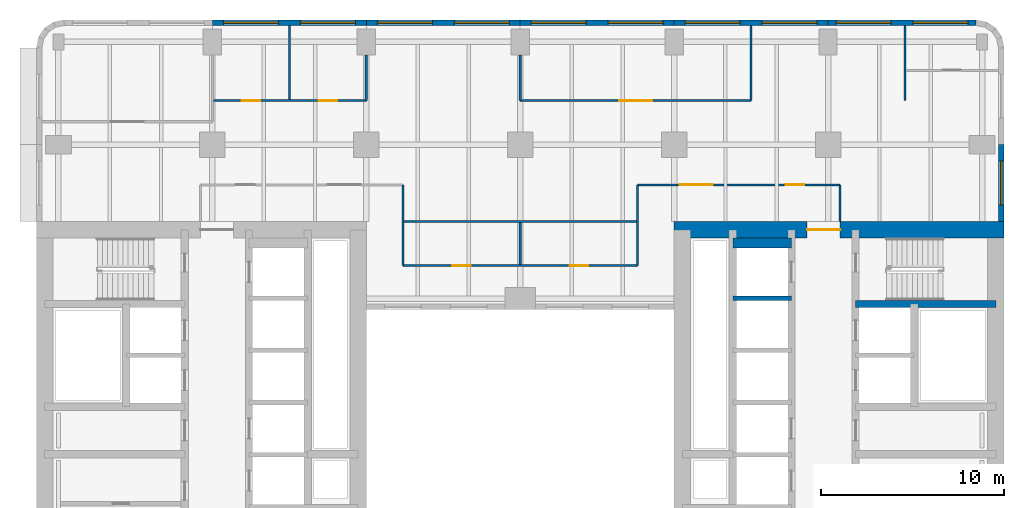
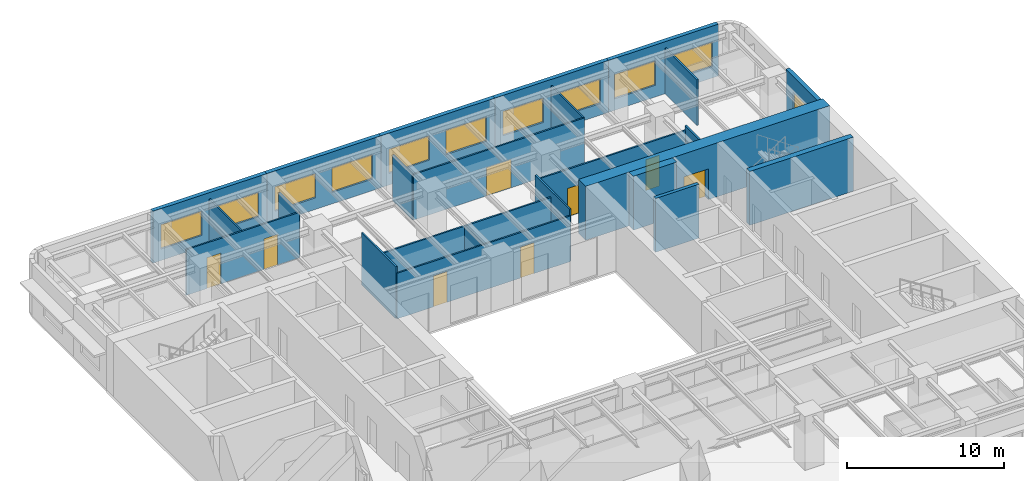
# One storey, part 7 of 11: 24 walls, 11 windows, 8 doors, 19 openings.
"""IFC4 building model written with IfcOpenShell, lengths in metres."""

from ifc_helpers import new_model, si_unit, direction, frame, frame_2d, origin, place, context, subcontext, project, spatial, rectangle, extrude, material, layer, layer_set, type_object, element, fill, save


model = new_model("IFC4")

# Units and contexts
model_context = context("Model", 3, precision=1e-05, world=origin(), true_north=direction((0.0, 1.0)))
body_context = subcontext(model_context, "Body", "Model", "MODEL_VIEW")
ifc_project = project(units=[si_unit("LENGTHUNIT", "METRE"), si_unit("AREAUNIT", "SQUARE_METRE"), si_unit("VOLUMEUNIT", "CUBIC_METRE"), si_unit("PLANEANGLEUNIT", "RADIAN"), si_unit("MASSUNIT", "GRAM", prefix="KILO")], contexts=[model_context])

# Site, building, storey
site_placement = place(None, origin())
site = spatial("IfcSite", under=ifc_project, at=site_placement, CompositionType="ELEMENT")
building_placement = place(site_placement, origin())
building = spatial("IfcBuilding", under=site, at=building_placement, Name="Claustro Exchange Tower", CompositionType="ELEMENT")
storey_placement = place(building_placement, frame((0.0, 0.0, 121.800048828125)))
storey = spatial("IfcBuildingStorey", under=building, at=storey_placement, Name="L27", CompositionType="ELEMENT", Elevation=121.800048828125)

# Wall, openings, doors
ifc_material_1 = material(Name="Laminated glass in aluminium frame", Category="aluminium")
ifc_layer_1 = layer(ifc_material_1, 0.1201171875)
ifc_layer_set_1 = layer_set([ifc_layer_1], Name="Laminated glass in aluminium frame")
wall_type_1 = type_object("IfcWallType", Name="P2 120 glazed partition", PredefinedType="PARTITIONING", material=ifc_layer_set_1)
wall_1_placement = place(storey_placement, frame((8.4580078125, 44.39990234375, 0.0), z_axis=(0.0, 0.0, 1.0), x_axis=(1.0, 0.0, 0.0)))
wall_1 = element("IfcWall", 1, at=wall_1_placement, inside=storey, type_object=wall_type_1, Name="Partition P2 L27", PredefinedType="PARTITIONING", context=body_context, shape_type="SweptSolid", body=[
    extrude(rectangle(XDim=8.342041015625, YDim=0.1201171875, at=frame_2d((4.1708984375, 0.0))), origin(), (0.0, 0.0, 1.0), 3.550048828125),
])
opening_1_placement = place(wall_1_placement, frame((1.5419921875, 0.0, 0.0)))
opening_1 = element("IfcOpeningElement", 2, at=opening_1_placement, cuts=wall_1, Name="Opening D7", PredefinedType="OPENING", context=body_context, shape_type="SweptSolid", body=[
    extrude(rectangle(XDim=1.0, YDim=2.39990234375, at=frame_2d((0.5, 1.199951171875))), frame((0.0, 0.070068359375, 0.0), z_axis=(0.0, -1.0, 0.0), x_axis=(1.0, 0.0, 0.0)), (0.0, 0.0, 1.0), 0.14013671875),
])
opening_2_placement = place(wall_1_placement, frame((5.741943359375, 0.0, 0.0)))
opening_2 = element("IfcOpeningElement", 3, at=opening_2_placement, cuts=wall_1, Name="Opening D7", PredefinedType="OPENING", context=body_context, shape_type="SweptSolid", body=[
    extrude(rectangle(XDim=1.0, YDim=2.39990234375, at=frame_2d((0.5, 1.199951171875))), frame((0.0, 0.070068359375, 0.0), z_axis=(0.0, -1.0, 0.0), x_axis=(1.0, 0.0, 0.0)), (0.0, 0.0, 1.0), 0.14013671875),
])
ifc_material_2 = material(Name="Glass door in aluminium frame", Category="aluminium")
door_type_1 = type_object("IfcDoorType", Name="D7 1000 x 2400 glazed door", OperationType="SINGLE_SWING_LEFT", PredefinedType="DOOR", material=ifc_material_2)
door_1_placement = place(opening_1_placement, origin())
door_1 = element("IfcDoor", 4, at=door_1_placement, inside=storey, type_object=door_type_1, Name="Door D7 L27", OperationType="SINGLE_SWING_RIGHT", OverallHeight=2.39990234375, OverallWidth=1.0, PredefinedType="DOOR", context=body_context, shape_type="SweptSolid", body=[
    extrude(rectangle(XDim=1.0, YDim=2.39990234375, at=frame_2d((0.5, 1.199951171875))), frame((0.0, 0.02490234375, 0.0), z_axis=(0.0, -1.0, 0.0), x_axis=(1.0, 0.0, 0.0)), (0.0, 0.0, 1.0), 0.050048828125),
])
fill(opening_1, door_1)
door_2_placement = place(opening_2_placement, origin())
door_2 = element("IfcDoor", 5, at=door_2_placement, inside=storey, type_object=door_type_1, Name="Door D7 L27", OperationType="SINGLE_SWING_LEFT", OverallHeight=2.39990234375, OverallWidth=1.0, PredefinedType="DOOR", context=body_context, shape_type="SweptSolid", body=[
    extrude(rectangle(XDim=1.0, YDim=2.39990234375, at=frame_2d((0.5, 1.199951171875))), frame((0.0, 0.02490234375, 0.0), z_axis=(0.0, -1.0, 0.0), x_axis=(1.0, 0.0, 0.0)), (0.0, 0.0, 1.0), 0.050048828125),
])
fill(opening_2, door_2)

# Walls
wall_2_placement = place(storey_placement, frame((12.60009765625, 44.4580078125, 0.0), z_axis=(0.0, 0.0, 1.0), x_axis=(0.0, 1.0, 0.0)))
element("IfcWall", 6, at=wall_2_placement, inside=storey, type_object=wall_type_1, Name="Partition P2 L27", PredefinedType="PARTITIONING", context=body_context, shape_type="SweptSolid", body=[
    extrude(rectangle(XDim=4.0439453125, YDim=0.1201171875, at=frame_2d((2.02197265625, 0.0))), origin(), (0.0, 0.0, 1.0), 3.56005859375),
])
wall_3_placement = place(storey_placement, frame((16.800048828125, 44.39990234375, 0.0), z_axis=(0.0, 0.0, 1.0), x_axis=(0.0, 1.0, 0.0)))
element("IfcWall", 7, at=wall_3_placement, inside=storey, type_object=wall_type_1, Name="Partition P2 L27", PredefinedType="PARTITIONING", context=body_context, shape_type="SweptSolid", body=[
    extrude(rectangle(XDim=2.5009765625, YDim=0.1201171875, at=frame_2d((1.25048828125, 0.0))), origin(), (0.0, 0.0, 1.0), 3.550048828125),
])

# Wall, opening, door
wall_4_placement = place(storey_placement, frame((25.199951171875, 44.39990234375, 0.0), z_axis=(0.0, 0.0, 1.0), x_axis=(1.0, 0.0, 0.0)))
wall_4 = element("IfcWall", 8, at=wall_4_placement, inside=storey, type_object=wall_type_1, Name="Partition P2 L27", PredefinedType="PARTITIONING", context=body_context, shape_type="SweptSolid", body=[
    extrude(rectangle(XDim=12.60009765625, YDim=0.1201171875, at=frame_2d((6.300048828125, 0.0))), origin(), (0.0, 0.0, 1.0), 3.550048828125),
])
opening_3_placement = place(wall_4_placement, frame((5.39990234375, 0.0, 0.0)))
opening_3 = element("IfcOpeningElement", 9, at=opening_3_placement, cuts=wall_4, Name="Opening D2", PredefinedType="OPENING", context=body_context, shape_type="SweptSolid", body=[
    extrude(rectangle(XDim=1.800048828125, YDim=2.199951171875, at=frame_2d((0.89990234375, 1.10009765625))), frame((0.0, 0.070068359375, 0.0), z_axis=(0.0, -1.0, 0.0), x_axis=(1.0, 0.0, 0.0)), (0.0, 0.0, 1.0), 0.14013671875),
])
ifc_material_3 = material(Name="Timber door, oak veneer", Category="wood")
door_type_2 = type_object("IfcDoorType", Name="D2 1800 x 2200 double door", OperationType="DOUBLE_DOOR_SINGLE_SWING", PredefinedType="DOOR", material=ifc_material_3)
door_3_placement = place(opening_3_placement, origin())
door_3 = element("IfcDoor", 10, at=door_3_placement, inside=storey, type_object=door_type_2, Name="Double door D2 L27", OperationType="DOUBLE_DOOR_SINGLE_SWING", OverallHeight=2.199951171875, OverallWidth=1.800048828125, PredefinedType="DOOR", context=body_context, shape_type="SweptSolid", body=[
    extrude(rectangle(XDim=1.800048828125, YDim=2.199951171875, at=frame_2d((0.89990234375, 1.10009765625))), frame((0.0, 0.02490234375, 0.0), z_axis=(0.0, -1.0, 0.0), x_axis=(1.0, 0.0, 0.0)), (0.0, 0.0, 1.0), 0.050048828125),
])
fill(opening_3, door_3)

# Walls
wall_5_placement = place(storey_placement, frame((25.199951171875, 44.39990234375, 0.0), z_axis=(0.0, 0.0, 1.0), x_axis=(0.0, 1.0, 0.0)))
element("IfcWall", 11, at=wall_5_placement, inside=storey, type_object=wall_type_1, Name="Partition P2 L27", PredefinedType="PARTITIONING", context=body_context, shape_type="SweptSolid", body=[
    extrude(rectangle(XDim=2.5009765625, YDim=0.1201171875, at=frame_2d((1.25048828125, 0.0))), origin(), (0.0, 0.0, 1.0), 3.550048828125),
])
for number, where, z_axis, x_axis, name in (
    (12, (37.800048828125, 44.39990234375, 0.0), (0.0, 0.0, 1.0), (0.0, 1.0, 0.0), "Partition P2 L27"),
    (13, (46.199951171875, 44.39990234375, 0.0), (0.0, 0.0, 1.0), (0.0, 1.0, 0.0), "Partition P2 L27"),
):
    element("IfcWall", number, at=place(storey_placement, frame(where, z_axis=z_axis, x_axis=x_axis)), inside=storey, type_object=wall_type_1, Name=name, PredefinedType="PARTITIONING", context=body_context, shape_type="SweptSolid", body=[
        extrude(rectangle(XDim=4.10205078125, YDim=0.1201171875, at=frame_2d((2.051025390625, 0.0))), origin(), (0.0, 0.0, 1.0), 3.56005859375),
    ])

# Wall, openings, doors
wall_6_placement = place(storey_placement, frame((31.60009765625, 39.800048828125, 0.0), z_axis=(0.0, 0.0, 1.0), x_axis=(1.0, 0.0, 0.0)))
wall_6 = element("IfcWall", 14, at=wall_6_placement, inside=storey, type_object=wall_type_1, Name="Partition P2 L27", PredefinedType="PARTITIONING", context=body_context, shape_type="SweptSolid", body=[
    extrude(rectangle(XDim=11.0498046875, YDim=0.1201171875, at=frame_2d((5.52490234375, 0.0))), origin(), (0.0, 0.0, 1.0), 3.68994140625),
])
opening_4_placement = place(wall_6_placement, frame((2.300048828125, 0.0, 0.0)))
opening_4 = element("IfcOpeningElement", 15, at=opening_4_placement, cuts=wall_6, Name="Opening D2", PredefinedType="OPENING", context=body_context, shape_type="SweptSolid", body=[
    extrude(rectangle(XDim=1.800048828125, YDim=2.199951171875, at=frame_2d((0.89990234375, 1.10009765625))), frame((0.0, 0.070068359375, 0.0), z_axis=(0.0, -1.0, 0.0), x_axis=(1.0, 0.0, 0.0)), (0.0, 0.0, 1.0), 0.14013671875),
])
opening_5_placement = place(wall_6_placement, frame((8.10009765625, 0.0, 0.0)))
opening_5 = element("IfcOpeningElement", 16, at=opening_5_placement, cuts=wall_6, Name="Opening D7", PredefinedType="OPENING", context=body_context, shape_type="SweptSolid", body=[
    extrude(rectangle(XDim=1.0, YDim=2.39990234375, at=frame_2d((0.5, 1.199951171875))), frame((0.0, 0.070068359375, 0.0), z_axis=(0.0, -1.0, 0.0), x_axis=(1.0, 0.0, 0.0)), (0.0, 0.0, 1.0), 0.14013671875),
])
door_4_placement = place(opening_4_placement, origin())
door_4 = element("IfcDoor", 17, at=door_4_placement, inside=storey, type_object=door_type_2, Name="Double door D2 L27", OperationType="DOUBLE_DOOR_SINGLE_SWING", OverallHeight=2.199951171875, OverallWidth=1.800048828125, PredefinedType="DOOR", context=body_context, shape_type="SweptSolid", body=[
    extrude(rectangle(XDim=1.800048828125, YDim=2.199951171875, at=frame_2d((0.89990234375, 1.10009765625))), frame((0.0, 0.02490234375, 0.0), z_axis=(0.0, -1.0, 0.0), x_axis=(1.0, 0.0, 0.0)), (0.0, 0.0, 1.0), 0.050048828125),
])
fill(opening_4, door_4)
door_5_placement = place(opening_5_placement, origin())
door_5 = element("IfcDoor", 18, at=door_5_placement, inside=storey, type_object=door_type_1, Name="Door D7 L27", OperationType="SINGLE_SWING_RIGHT", OverallHeight=2.39990234375, OverallWidth=1.0, PredefinedType="DOOR", context=body_context, shape_type="SweptSolid", body=[
    extrude(rectangle(XDim=1.0, YDim=2.39990234375, at=frame_2d((0.5, 1.199951171875))), frame((0.0, 0.02490234375, 0.0), z_axis=(0.0, -1.0, 0.0), x_axis=(1.0, 0.0, 0.0)), (0.0, 0.0, 1.0), 0.050048828125),
])
fill(opening_5, door_5)

# Walls
wall_7_placement = place(storey_placement, frame((42.64990234375, 37.800048828125, 0.0), z_axis=(0.0, 0.0, 1.0), x_axis=(0.0, 1.0, 0.0)))
element("IfcWall", 19, at=wall_7_placement, inside=storey, type_object=wall_type_1, Name="Partition P2 L27", PredefinedType="PARTITIONING", context=body_context, shape_type="SweptSolid", body=[
    extrude(rectangle(XDim=2.0, YDim=0.1201171875, at=frame_2d((1.0, 0.0))), origin(), (0.0, 0.0, 1.0), 4.050048828125),
])
for number, where, z_axis, x_axis, name in (
    (20, (18.800048828125, 35.39990234375, 0.0), (0.0, 0.0, 1.0), (0.0, 1.0, 0.0), "Partition P2 L27"),
    (21, (31.60009765625, 35.39990234375, 0.0), (0.0, 0.0, 1.0), (0.0, 1.0, 0.0), "Partition P2 L27"),
):
    element("IfcWall", number, at=place(storey_placement, frame(where, z_axis=z_axis, x_axis=x_axis)), inside=storey, type_object=wall_type_1, Name=name, PredefinedType="PARTITIONING", context=body_context, shape_type="SweptSolid", body=[
        extrude(rectangle(XDim=4.400146484375, YDim=0.1201171875, at=frame_2d((2.2001953125, 0.0))), origin(), (0.0, 0.0, 1.0), 4.050048828125),
    ])
wall_8_placement = place(storey_placement, frame((25.199951171875, 35.4580078125, 0.0), z_axis=(0.0, 0.0, 1.0), x_axis=(0.0, 1.0, 0.0)))
element("IfcWall", 22, at=wall_8_placement, inside=storey, type_object=wall_type_1, Name="Partition P2 L27", PredefinedType="PARTITIONING", context=body_context, shape_type="SweptSolid", body=[
    extrude(rectangle(XDim=2.283935546875, YDim=0.1201171875, at=frame_2d((1.14208984375, 0.0))), origin(), (0.0, 0.0, 1.0), 3.550048828125),
])

# Wall, openings, doors
wall_9_placement = place(storey_placement, frame((18.800048828125, 35.39990234375, 0.0), z_axis=(0.0, 0.0, 1.0), x_axis=(1.0, 0.0, 0.0)))
wall_9 = element("IfcWall", 23, at=wall_9_placement, inside=storey, type_object=wall_type_1, Name="Partition P2 L27", PredefinedType="PARTITIONING", context=body_context, shape_type="SweptSolid", body=[
    extrude(rectangle(XDim=12.800048828125, YDim=0.1201171875, at=frame_2d((6.39990234375, 0.0))), origin(), (0.0, 0.0, 1.0), 3.550048828125),
])
opening_6_placement = place(wall_9_placement, frame((2.699951171875, 0.0, 0.0)))
opening_6 = element("IfcOpeningElement", 24, at=opening_6_placement, cuts=wall_9, Name="Opening D7", PredefinedType="OPENING", context=body_context, shape_type="SweptSolid", body=[
    extrude(rectangle(XDim=1.0, YDim=2.39990234375, at=frame_2d((0.5, 1.199951171875))), frame((0.0, 0.070068359375, 0.0), z_axis=(0.0, -1.0, 0.0), x_axis=(1.0, 0.0, 0.0)), (0.0, 0.0, 1.0), 0.14013671875),
])
opening_7_placement = place(wall_9_placement, frame((9.10009765625, 0.0, 0.0)))
opening_7 = element("IfcOpeningElement", 25, at=opening_7_placement, cuts=wall_9, Name="Opening D7", PredefinedType="OPENING", context=body_context, shape_type="SweptSolid", body=[
    extrude(rectangle(XDim=1.0, YDim=2.39990234375, at=frame_2d((0.5, 1.199951171875))), frame((0.0, 0.070068359375, 0.0), z_axis=(0.0, -1.0, 0.0), x_axis=(1.0, 0.0, 0.0)), (0.0, 0.0, 1.0), 0.14013671875),
])
door_6_placement = place(opening_6_placement, origin())
door_6 = element("IfcDoor", 26, at=door_6_placement, inside=storey, type_object=door_type_1, Name="Door D7 L27", OperationType="SINGLE_SWING_RIGHT", OverallHeight=2.39990234375, OverallWidth=1.0, PredefinedType="DOOR", context=body_context, shape_type="SweptSolid", body=[
    extrude(rectangle(XDim=1.0, YDim=2.39990234375, at=frame_2d((0.5, 1.199951171875))), frame((0.0, 0.02490234375, 0.0), z_axis=(0.0, -1.0, 0.0), x_axis=(1.0, 0.0, 0.0)), (0.0, 0.0, 1.0), 0.050048828125),
])
fill(opening_6, door_6)
door_7_placement = place(opening_7_placement, origin())
door_7 = element("IfcDoor", 27, at=door_7_placement, inside=storey, type_object=door_type_1, Name="Door D7 L27", OperationType="SINGLE_SWING_LEFT", OverallHeight=2.39990234375, OverallWidth=1.0, PredefinedType="DOOR", context=body_context, shape_type="SweptSolid", body=[
    extrude(rectangle(XDim=1.0, YDim=2.39990234375, at=frame_2d((0.5, 1.199951171875))), frame((0.0, 0.02490234375, 0.0), z_axis=(0.0, -1.0, 0.0), x_axis=(1.0, 0.0, 0.0)), (0.0, 0.0, 1.0), 0.050048828125),
])
fill(opening_7, door_7)

# Wall
wall_10_placement = place(storey_placement, frame((18.85791015625, 37.800048828125, 0.0), z_axis=(0.0, 0.0, 1.0), x_axis=(1.0, 0.0, 0.0)))
element("IfcWall", 28, at=wall_10_placement, inside=storey, type_object=wall_type_1, Name="Partition P2 L27", PredefinedType="PARTITIONING", context=body_context, shape_type="SweptSolid", body=[
    extrude(rectangle(XDim=12.68408203125, YDim=0.1201171875, at=frame_2d((6.342041015625, 0.0))), origin(), (0.0, 0.0, 1.0), 3.550048828125),
])

# Wall, openings, windows
ifc_material_4 = material(Name="Concrete HA-40 (C40/50), precast, white cement, acid-etched", Category="concrete")
ifc_layer_2 = layer(ifc_material_4, 0.300048828125)
ifc_layer_set_2 = layer_set([ifc_layer_2], Name="Concrete HA-40 (C40/50), precast, white cement, acid-etched")
wall_type_2 = type_object("IfcWallType", Name="PC1 300 precast concrete pier panel", PredefinedType="SOLIDWALL", material=ifc_layer_set_2)
wall_11_placement = place(storey_placement, frame((8.39990234375, 48.64990234375, 0.0), z_axis=(0.0, 0.0, 1.0), x_axis=(1.0, 0.0, 0.0)))
wall_11 = element("IfcWall", 29, at=wall_11_placement, inside=storey, type_object=wall_type_2, Name="Precast pier panel PC1 L27", PredefinedType="SOLIDWALL", context=body_context, shape_type="SweptSolid", body=[
    extrude(rectangle(XDim=8.400146484375, YDim=0.300048828125, at=frame_2d((4.2001953125, 0.0))), origin(), (0.0, 0.0, 1.0), 4.050048828125),
])
opening_8_placement = place(wall_11_placement, frame((0.60009765625, 0.0, 0.89990234375)))
opening_8 = element("IfcOpeningElement", 30, at=opening_8_placement, cuts=wall_11, Name="Opening W1", PredefinedType="OPENING", context=body_context, shape_type="SweptSolid", body=[
    extrude(rectangle(XDim=3.0, YDim=1.89990234375, at=frame_2d((1.5, 0.949951171875))), frame((0.0, 0.159912109375, 0.0), z_axis=(0.0, -1.0, 0.0), x_axis=(1.0, 0.0, 0.0)), (0.0, 0.0, 1.0), 0.320068359375),
])
opening_9_placement = place(wall_11_placement, frame((4.800048828125, 0.0, 0.89990234375)))
opening_9 = element("IfcOpeningElement", 31, at=opening_9_placement, cuts=wall_11, Name="Opening W1", PredefinedType="OPENING", context=body_context, shape_type="SweptSolid", body=[
    extrude(rectangle(XDim=3.0, YDim=1.89990234375, at=frame_2d((1.5, 0.949951171875))), frame((0.0, 0.159912109375, 0.0), z_axis=(0.0, -1.0, 0.0), x_axis=(1.0, 0.0, 0.0)), (0.0, 0.0, 1.0), 0.320068359375),
])
ifc_material_5 = material(Name="Aluminium frame, clear double glazing", Category="aluminium")
window_type_1 = type_object("IfcWindowType", Name="W1 3000 x 1900 window", PartitioningType="SINGLE_PANEL", PredefinedType="WINDOW", material=ifc_material_5)
window_1_placement = place(opening_8_placement, origin())
window_1 = element("IfcWindow", 32, at=window_1_placement, inside=storey, type_object=window_type_1, Name="Window W1 L27", OverallHeight=1.89990234375, OverallWidth=3.0, PartitioningType="SINGLE_PANEL", PredefinedType="WINDOW", context=body_context, shape_type="SweptSolid", body=[
    extrude(rectangle(XDim=3.0, YDim=1.89990234375, at=frame_2d((1.5, 0.949951171875))), frame((0.0, 0.030029296875, 0.0), z_axis=(0.0, -1.0, 0.0), x_axis=(1.0, 0.0, 0.0)), (0.0, 0.0, 1.0), 0.06005859375),
])
fill(opening_8, window_1)
window_2_placement = place(opening_9_placement, origin())
window_2 = element("IfcWindow", 33, at=window_2_placement, inside=storey, type_object=window_type_1, Name="Window W1 L27", OverallHeight=1.89990234375, OverallWidth=3.0, PartitioningType="SINGLE_PANEL", PredefinedType="WINDOW", context=body_context, shape_type="SweptSolid", body=[
    extrude(rectangle(XDim=3.0, YDim=1.89990234375, at=frame_2d((1.5, 0.949951171875))), frame((0.0, 0.030029296875, 0.0), z_axis=(0.0, -1.0, 0.0), x_axis=(1.0, 0.0, 0.0)), (0.0, 0.0, 1.0), 0.06005859375),
])
fill(opening_9, window_2)

wall_12_placement = place(storey_placement, frame((16.800048828125, 48.64990234375, 0.0), z_axis=(0.0, 0.0, 1.0), x_axis=(1.0, 0.0, 0.0)))
wall_12 = element("IfcWall", 34, at=wall_12_placement, inside=storey, type_object=wall_type_2, Name="Precast pier panel PC1 L27", PredefinedType="SOLIDWALL", context=body_context, shape_type="SweptSolid", body=[
    extrude(rectangle(XDim=8.39990234375, YDim=0.300048828125, at=frame_2d((4.199951171875, 0.0))), origin(), (0.0, 0.0, 1.0), 4.050048828125),
])
opening_10_placement = place(wall_12_placement, frame((0.60009765625, 0.0, 0.89990234375)))
opening_10 = element("IfcOpeningElement", 35, at=opening_10_placement, cuts=wall_12, Name="Opening W1", PredefinedType="OPENING", context=body_context, shape_type="SweptSolid", body=[
    extrude(rectangle(XDim=3.0, YDim=1.89990234375, at=frame_2d((1.5, 0.949951171875))), frame((0.0, 0.159912109375, 0.0), z_axis=(0.0, -1.0, 0.0), x_axis=(1.0, 0.0, 0.0)), (0.0, 0.0, 1.0), 0.320068359375),
])
opening_11_placement = place(wall_12_placement, frame((4.800048828125, 0.0, 0.89990234375)))
opening_11 = element("IfcOpeningElement", 36, at=opening_11_placement, cuts=wall_12, Name="Opening W1", PredefinedType="OPENING", context=body_context, shape_type="SweptSolid", body=[
    extrude(rectangle(XDim=3.0, YDim=1.89990234375, at=frame_2d((1.5, 0.949951171875))), frame((0.0, 0.159912109375, 0.0), z_axis=(0.0, -1.0, 0.0), x_axis=(1.0, 0.0, 0.0)), (0.0, 0.0, 1.0), 0.320068359375),
])
window_3_placement = place(opening_10_placement, origin())
window_3 = element("IfcWindow", 37, at=window_3_placement, inside=storey, type_object=window_type_1, Name="Window W1 L27", OverallHeight=1.89990234375, OverallWidth=3.0, PartitioningType="SINGLE_PANEL", PredefinedType="WINDOW", context=body_context, shape_type="SweptSolid", body=[
    extrude(rectangle(XDim=3.0, YDim=1.89990234375, at=frame_2d((1.5, 0.949951171875))), frame((0.0, 0.030029296875, 0.0), z_axis=(0.0, -1.0, 0.0), x_axis=(1.0, 0.0, 0.0)), (0.0, 0.0, 1.0), 0.06005859375),
])
fill(opening_10, window_3)
window_4_placement = place(opening_11_placement, origin())
window_4 = element("IfcWindow", 38, at=window_4_placement, inside=storey, type_object=window_type_1, Name="Window W1 L27", OverallHeight=1.89990234375, OverallWidth=3.0, PartitioningType="SINGLE_PANEL", PredefinedType="WINDOW", context=body_context, shape_type="SweptSolid", body=[
    extrude(rectangle(XDim=3.0, YDim=1.89990234375, at=frame_2d((1.5, 0.949951171875))), frame((0.0, 0.030029296875, 0.0), z_axis=(0.0, -1.0, 0.0), x_axis=(1.0, 0.0, 0.0)), (0.0, 0.0, 1.0), 0.06005859375),
])
fill(opening_11, window_4)

wall_13_placement = place(storey_placement, frame((25.199951171875, 48.64990234375, 0.0), z_axis=(0.0, 0.0, 1.0), x_axis=(1.0, 0.0, 0.0)))
wall_13 = element("IfcWall", 39, at=wall_13_placement, inside=storey, type_object=wall_type_2, Name="Precast pier panel PC1 L27", PredefinedType="SOLIDWALL", context=body_context, shape_type="SweptSolid", body=[
    extrude(rectangle(XDim=8.400146484375, YDim=0.300048828125, at=frame_2d((4.2001953125, 0.0))), origin(), (0.0, 0.0, 1.0), 4.050048828125),
])
opening_12_placement = place(wall_13_placement, frame((0.60009765625, 0.0, 0.89990234375)))
opening_12 = element("IfcOpeningElement", 40, at=opening_12_placement, cuts=wall_13, Name="Opening W1", PredefinedType="OPENING", context=body_context, shape_type="SweptSolid", body=[
    extrude(rectangle(XDim=3.0, YDim=1.89990234375, at=frame_2d((1.5, 0.949951171875))), frame((0.0, 0.159912109375, 0.0), z_axis=(0.0, -1.0, 0.0), x_axis=(1.0, 0.0, 0.0)), (0.0, 0.0, 1.0), 0.320068359375),
])
opening_13_placement = place(wall_13_placement, frame((4.800048828125, 0.0, 0.89990234375)))
opening_13 = element("IfcOpeningElement", 41, at=opening_13_placement, cuts=wall_13, Name="Opening W1", PredefinedType="OPENING", context=body_context, shape_type="SweptSolid", body=[
    extrude(rectangle(XDim=3.0, YDim=1.89990234375, at=frame_2d((1.5, 0.949951171875))), frame((0.0, 0.159912109375, 0.0), z_axis=(0.0, -1.0, 0.0), x_axis=(1.0, 0.0, 0.0)), (0.0, 0.0, 1.0), 0.320068359375),
])
window_5_placement = place(opening_12_placement, origin())
window_5 = element("IfcWindow", 42, at=window_5_placement, inside=storey, type_object=window_type_1, Name="Window W1 L27", OverallHeight=1.89990234375, OverallWidth=3.0, PartitioningType="SINGLE_PANEL", PredefinedType="WINDOW", context=body_context, shape_type="SweptSolid", body=[
    extrude(rectangle(XDim=3.0, YDim=1.89990234375, at=frame_2d((1.5, 0.949951171875))), frame((0.0, 0.030029296875, 0.0), z_axis=(0.0, -1.0, 0.0), x_axis=(1.0, 0.0, 0.0)), (0.0, 0.0, 1.0), 0.06005859375),
])
fill(opening_12, window_5)
window_6_placement = place(opening_13_placement, origin())
window_6 = element("IfcWindow", 43, at=window_6_placement, inside=storey, type_object=window_type_1, Name="Window W1 L27", OverallHeight=1.89990234375, OverallWidth=3.0, PartitioningType="SINGLE_PANEL", PredefinedType="WINDOW", context=body_context, shape_type="SweptSolid", body=[
    extrude(rectangle(XDim=3.0, YDim=1.89990234375, at=frame_2d((1.5, 0.949951171875))), frame((0.0, 0.030029296875, 0.0), z_axis=(0.0, -1.0, 0.0), x_axis=(1.0, 0.0, 0.0)), (0.0, 0.0, 1.0), 0.06005859375),
])
fill(opening_13, window_6)

wall_14_placement = place(storey_placement, frame((33.60009765625, 48.64990234375, 0.0), z_axis=(0.0, 0.0, 1.0), x_axis=(1.0, 0.0, 0.0)))
wall_14 = element("IfcWall", 44, at=wall_14_placement, inside=storey, type_object=wall_type_2, Name="Precast pier panel PC1 L27", PredefinedType="SOLIDWALL", context=body_context, shape_type="SweptSolid", body=[
    extrude(rectangle(XDim=8.39990234375, YDim=0.300048828125, at=frame_2d((4.199951171875, 0.0))), origin(), (0.0, 0.0, 1.0), 4.050048828125),
])
opening_14_placement = place(wall_14_placement, frame((0.60009765625, 0.0, 0.89990234375)))
opening_14 = element("IfcOpeningElement", 45, at=opening_14_placement, cuts=wall_14, Name="Opening W1", PredefinedType="OPENING", context=body_context, shape_type="SweptSolid", body=[
    extrude(rectangle(XDim=3.0, YDim=1.89990234375, at=frame_2d((1.5, 0.949951171875))), frame((0.0, 0.159912109375, 0.0), z_axis=(0.0, -1.0, 0.0), x_axis=(1.0, 0.0, 0.0)), (0.0, 0.0, 1.0), 0.320068359375),
])
opening_15_placement = place(wall_14_placement, frame((4.800048828125, 0.0, 0.89990234375)))
opening_15 = element("IfcOpeningElement", 46, at=opening_15_placement, cuts=wall_14, Name="Opening W1", PredefinedType="OPENING", context=body_context, shape_type="SweptSolid", body=[
    extrude(rectangle(XDim=3.0, YDim=1.89990234375, at=frame_2d((1.5, 0.949951171875))), frame((0.0, 0.159912109375, 0.0), z_axis=(0.0, -1.0, 0.0), x_axis=(1.0, 0.0, 0.0)), (0.0, 0.0, 1.0), 0.320068359375),
])
window_7_placement = place(opening_14_placement, origin())
window_7 = element("IfcWindow", 47, at=window_7_placement, inside=storey, type_object=window_type_1, Name="Window W1 L27", OverallHeight=1.89990234375, OverallWidth=3.0, PartitioningType="SINGLE_PANEL", PredefinedType="WINDOW", context=body_context, shape_type="SweptSolid", body=[
    extrude(rectangle(XDim=3.0, YDim=1.89990234375, at=frame_2d((1.5, 0.949951171875))), frame((0.0, 0.030029296875, 0.0), z_axis=(0.0, -1.0, 0.0), x_axis=(1.0, 0.0, 0.0)), (0.0, 0.0, 1.0), 0.06005859375),
])
fill(opening_14, window_7)
window_8_placement = place(opening_15_placement, origin())
window_8 = element("IfcWindow", 48, at=window_8_placement, inside=storey, type_object=window_type_1, Name="Window W1 L27", OverallHeight=1.89990234375, OverallWidth=3.0, PartitioningType="SINGLE_PANEL", PredefinedType="WINDOW", context=body_context, shape_type="SweptSolid", body=[
    extrude(rectangle(XDim=3.0, YDim=1.89990234375, at=frame_2d((1.5, 0.949951171875))), frame((0.0, 0.030029296875, 0.0), z_axis=(0.0, -1.0, 0.0), x_axis=(1.0, 0.0, 0.0)), (0.0, 0.0, 1.0), 0.06005859375),
])
fill(opening_15, window_8)

wall_15_placement = place(storey_placement, frame((42.0, 48.64990234375, 0.0), z_axis=(0.0, 0.0, 1.0), x_axis=(1.0, 0.0, 0.0)))
wall_15 = element("IfcWall", 49, at=wall_15_placement, inside=storey, type_object=wall_type_2, Name="Precast pier panel PC1 L27", PredefinedType="SOLIDWALL", context=body_context, shape_type="SweptSolid", body=[
    extrude(rectangle(XDim=8.085205078125, YDim=0.300048828125, at=frame_2d((4.04248046875, 0.0))), origin(), (0.0, 0.0, 1.0), 4.050048828125),
])
opening_16_placement = place(wall_15_placement, frame((0.442626953125, 0.0, 0.89990234375)))
opening_16 = element("IfcOpeningElement", 50, at=opening_16_placement, cuts=wall_15, Name="Opening W1", PredefinedType="OPENING", context=body_context, shape_type="SweptSolid", body=[
    extrude(rectangle(XDim=3.0, YDim=1.89990234375, at=frame_2d((1.5, 0.949951171875))), frame((0.0, 0.159912109375, 0.0), z_axis=(0.0, -1.0, 0.0), x_axis=(1.0, 0.0, 0.0)), (0.0, 0.0, 1.0), 0.320068359375),
])
opening_17_placement = place(wall_15_placement, frame((4.642578125, 0.0, 0.89990234375)))
opening_17 = element("IfcOpeningElement", 51, at=opening_17_placement, cuts=wall_15, Name="Opening W1", PredefinedType="OPENING", context=body_context, shape_type="SweptSolid", body=[
    extrude(rectangle(XDim=3.0, YDim=1.89990234375, at=frame_2d((1.5, 0.949951171875))), frame((0.0, 0.159912109375, 0.0), z_axis=(0.0, -1.0, 0.0), x_axis=(1.0, 0.0, 0.0)), (0.0, 0.0, 1.0), 0.320068359375),
])
window_9_placement = place(opening_16_placement, origin())
window_9 = element("IfcWindow", 52, at=window_9_placement, inside=storey, type_object=window_type_1, Name="Window W1 L27", OverallHeight=1.89990234375, OverallWidth=3.0, PartitioningType="SINGLE_PANEL", PredefinedType="WINDOW", context=body_context, shape_type="SweptSolid", body=[
    extrude(rectangle(XDim=3.0, YDim=1.89990234375, at=frame_2d((1.5, 0.949951171875))), frame((0.0, 0.030029296875, 0.0), z_axis=(0.0, -1.0, 0.0), x_axis=(1.0, 0.0, 0.0)), (0.0, 0.0, 1.0), 0.06005859375),
])
fill(opening_16, window_9)
window_10_placement = place(opening_17_placement, origin())
window_10 = element("IfcWindow", 53, at=window_10_placement, inside=storey, type_object=window_type_1, Name="Window W1 L27", OverallHeight=1.89990234375, OverallWidth=3.0, PartitioningType="SINGLE_PANEL", PredefinedType="WINDOW", context=body_context, shape_type="SweptSolid", body=[
    extrude(rectangle(XDim=3.0, YDim=1.89990234375, at=frame_2d((1.5, 0.949951171875))), frame((0.0, 0.030029296875, 0.0), z_axis=(0.0, -1.0, 0.0), x_axis=(1.0, 0.0, 0.0)), (0.0, 0.0, 1.0), 0.06005859375),
])
fill(opening_17, window_10)

# Wall, opening, window
wall_16_placement = place(storey_placement, frame((51.449951171875, 42.0, 0.0), z_axis=(0.0, 0.0, 1.0), x_axis=(0.0, -1.0, 0.0)))
wall_16 = element("IfcWall", 54, at=wall_16_placement, inside=storey, type_object=wall_type_2, Name="Precast pier panel PC1 L27", PredefinedType="SOLIDWALL", context=body_context, shape_type="SweptSolid", body=[
    extrude(rectangle(XDim=4.199951171875, YDim=0.300048828125, at=frame_2d((2.10009765625, 0.0))), origin(), (0.0, 0.0, 1.0), 4.050048828125),
])
opening_18_placement = place(wall_16_placement, frame((0.89990234375, 0.0, 0.89990234375)))
opening_18 = element("IfcOpeningElement", 55, at=opening_18_placement, cuts=wall_16, Name="Opening W2", PredefinedType="OPENING", context=body_context, shape_type="SweptSolid", body=[
    extrude(rectangle(XDim=2.39990234375, YDim=1.89990234375, at=frame_2d((1.199951171875, 0.949951171875))), frame((0.0, 0.159912109375, 0.0), z_axis=(0.0, -1.0, 0.0), x_axis=(1.0, 0.0, 0.0)), (0.0, 0.0, 1.0), 0.320068359375),
])
ifc_material_6 = material(Name="Aluminium frame, clear double glazing", Category="aluminium")
window_type_2 = type_object("IfcWindowType", Name="W2 2400 x 1900 window", PartitioningType="SINGLE_PANEL", PredefinedType="WINDOW", material=ifc_material_6)
window_11_placement = place(opening_18_placement, origin())
window_11 = element("IfcWindow", 56, at=window_11_placement, inside=storey, type_object=window_type_2, Name="Window W2 L27", OverallHeight=1.89990234375, OverallWidth=2.39990234375, PartitioningType="SINGLE_PANEL", PredefinedType="WINDOW", context=body_context, shape_type="SweptSolid", body=[
    extrude(rectangle(XDim=2.39990234375, YDim=1.89990234375, at=frame_2d((1.199951171875, 0.949951171875))), frame((0.0, 0.030029296875, 0.0), z_axis=(0.0, -1.0, 0.0), x_axis=(1.0, 0.0, 0.0)), (0.0, 0.0, 1.0), 0.06005859375),
])
fill(opening_18, window_11)

# Wall, opening, door
ifc_material_7 = material(Name="Concrete HA-70 (C70/85)", Category="concrete")
ifc_layer_3 = layer(ifc_material_7, 0.89990234375)
ifc_layer_set_3 = layer_set([ifc_layer_3], Name="Concrete HA-70 (C70/85)")
wall_type_3 = type_object("IfcWallType", Name="SW1 900 core shear wall", PredefinedType="SHEAR", material=ifc_layer_set_3)
wall_17_placement = place(storey_placement, frame((33.60009765625, 37.35009765625, 0.0), z_axis=(0.0, 0.0, 1.0), x_axis=(1.0, 0.0, 0.0)))
wall_17 = element("IfcWall", 57, at=wall_17_placement, inside=storey, type_object=wall_type_3, Name="Core wall SW1 E core N face L27", PredefinedType="SHEAR", context=body_context, shape_type="SweptSolid", body=[
    extrude(rectangle(XDim=18.0, YDim=0.89990234375, at=frame_2d((9.0, 0.0))), origin(), (0.0, 0.0, 1.0), 4.199951171875),
])
opening_19_placement = place(wall_17_placement, frame((7.25, 0.0, 0.0)))
opening_19 = element("IfcOpeningElement", 58, at=opening_19_placement, cuts=wall_17, Name="Opening D3", PredefinedType="OPENING", context=body_context, shape_type="SweptSolid", body=[
    extrude(rectangle(XDim=1.800048828125, YDim=2.39990234375, at=frame_2d((0.89990234375, 1.199951171875))), frame((0.0, 0.4599609375, 0.0), z_axis=(0.0, -1.0, 0.0), x_axis=(1.0, 0.0, 0.0)), (0.0, 0.0, 1.0), 0.919921875),
])
ifc_material_8 = material(Name="Steel fire door, painted", Category="steel")
door_type_3 = type_object("IfcDoorType", Name="D3 1800 x 2400 fire-rated lobby double door", OperationType="DOUBLE_DOOR_SINGLE_SWING", PredefinedType="DOOR", material=ifc_material_8)
door_8_placement = place(opening_19_placement, frame((1.800048828125, 0.0, 0.0), z_axis=(0.0, 0.0, 1.0), x_axis=(-1.0, 0.0, 0.0)))
door_8 = element("IfcDoor", 59, at=door_8_placement, inside=storey, type_object=door_type_3, Name="Lift lobby door D3 L27", OperationType="DOUBLE_DOOR_SINGLE_SWING", OverallHeight=2.39990234375, OverallWidth=1.800048828125, PredefinedType="DOOR", context=body_context, shape_type="SweptSolid", body=[
    extrude(rectangle(XDim=1.800048828125, YDim=2.39990234375, at=frame_2d((0.89990234375, 1.199951171875))), frame((0.0, 0.02490234375, 0.0), z_axis=(0.0, -1.0, 0.0), x_axis=(1.0, 0.0, 0.0)), (0.0, 0.0, 1.0), 0.050048828125),
])
fill(opening_19, door_8)

# Walls
ifc_material_9 = material(Name="Concrete HA-50 (C50/60)", Category="concrete")
ifc_layer_4 = layer(ifc_material_9, 0.39990234375)
ifc_layer_set_4 = layer_set([ifc_layer_4], Name="Concrete HA-50 (C50/60)")
wall_type_4 = type_object("IfcWallType", Name="SW4 400 internal core wall", PredefinedType="SHEAR", material=ifc_layer_set_4)
wall_18_placement = place(storey_placement, frame((51.14990234375, 33.300048828125, 0.0), z_axis=(0.0, 0.0, 1.0), x_axis=(-1.0, 0.0, 0.0)))
element("IfcWall", 60, at=wall_18_placement, inside=storey, type_object=wall_type_4, Name="Internal core wall SW4 E core L27", PredefinedType="SHEAR", context=body_context, shape_type="SweptSolid", body=[
    extrude(rectangle(XDim=7.64990234375, YDim=0.39990234375, at=frame_2d((3.824951171875, 0.0))), origin(), (0.0, 0.0, 1.0), 4.199951171875),
])
ifc_material_10 = material(Name="Concrete HA-50 (C50/60)", Category="concrete")
ifc_layer_5 = layer(ifc_material_10, 0.25)
ifc_layer_set_5 = layer_set([ifc_layer_5], Name="Concrete HA-50 (C50/60)")
wall_type_5 = type_object("IfcWallType", Name="SW5 250 lift shaft divider wall", PredefinedType="SHEAR", material=ifc_layer_set_5)
wall_19_placement = place(storey_placement, frame((40.0, 33.625, 0.0), z_axis=(0.0, 0.0, 1.0), x_axis=(-1.0, 0.0, 0.0)))
element("IfcWall", 61, at=wall_19_placement, inside=storey, type_object=wall_type_5, Name="Lift shaft wall E core L27", PredefinedType="SHEAR", context=body_context, shape_type="SweptSolid", body=[
    extrude(rectangle(XDim=3.199951171875, YDim=0.25, at=frame_2d((1.60009765625, 0.0))), origin(), (0.0, 0.0, 1.0), 4.199951171875),
])
ifc_material_11 = material(Name="Concrete HA-50 (C50/60)", Category="concrete")
ifc_layer_6 = layer(ifc_material_11, 0.550048828125)
ifc_layer_set_6 = layer_set([ifc_layer_6], Name="Concrete HA-50 (C50/60)")
wall_type_6 = type_object("IfcWallType", Name="SW6 550 lift shaft end wall", PredefinedType="SHEAR", material=ifc_layer_set_6)
wall_20_placement = place(storey_placement, frame((40.0, 36.625, 0.0), z_axis=(0.0, 0.0, 1.0), x_axis=(-1.0, 0.0, 0.0)))
element("IfcWall", 62, at=wall_20_placement, inside=storey, type_object=wall_type_6, Name="Lift shaft wall E core L27", PredefinedType="SHEAR", context=body_context, shape_type="SweptSolid", body=[
    extrude(rectangle(XDim=3.199951171875, YDim=0.550048828125, at=frame_2d((1.60009765625, 0.0))), origin(), (0.0, 0.0, 1.0), 4.199951171875),
])

save(model, "model.ifc")
